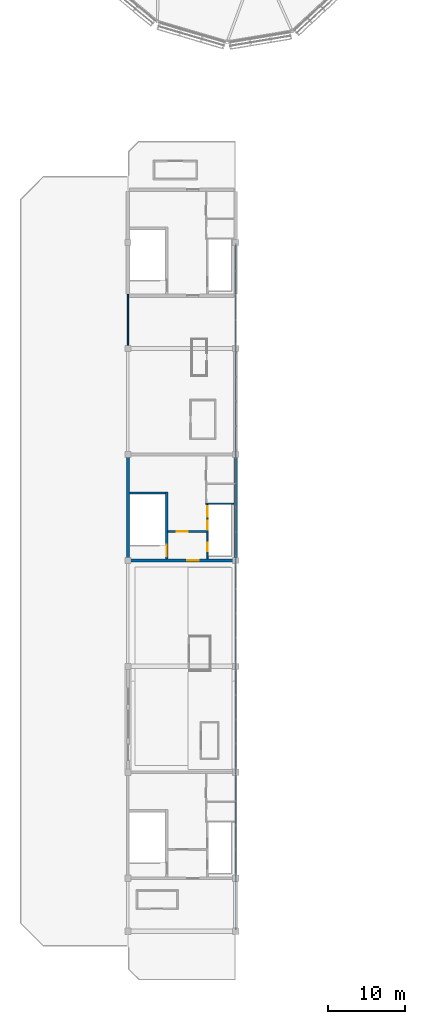
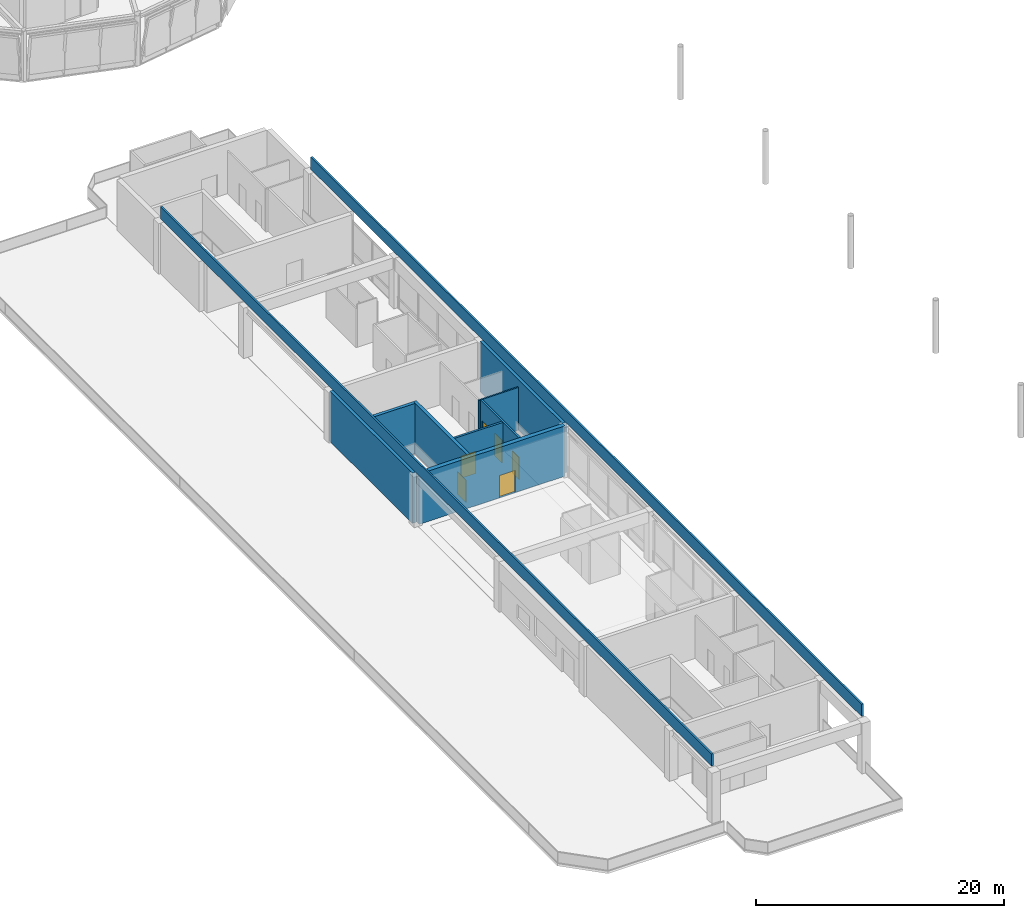
# One storey, part 100 of 113: 10 walls, 6 doors, 6 openings.
"""IFC4 building model written with IfcOpenShell, lengths in metres."""

from ifc_helpers import new_model, si_unit, direction, frame, frame_2d, origin, place, context, subcontext, project, spatial, rectangle, extrude, material, layer, layer_set, type_object, element, fill, save


model = new_model("IFC4")

# Units and contexts
model_context = context("Model", 3, precision=1e-05, world=origin(), true_north=direction((0.0, 1.0)))
body_context = subcontext(model_context, "Body", "Model", "MODEL_VIEW")
ifc_project = project(units=[si_unit("LENGTHUNIT", "METRE"), si_unit("AREAUNIT", "SQUARE_METRE"), si_unit("VOLUMEUNIT", "CUBIC_METRE"), si_unit("PLANEANGLEUNIT", "RADIAN"), si_unit("MASSUNIT", "GRAM", prefix="KILO")], contexts=[model_context])

# Site, building, storey
site_placement = place(None, origin())
site = spatial("IfcSite", under=ifc_project, at=site_placement, CompositionType="ELEMENT")
building_placement = place(site_placement, origin())
building = spatial("IfcBuilding", under=site, at=building_placement, Name="Linyun Crest Stadium", CompositionType="ELEMENT")
storey_placement = place(building_placement, frame((0.0, 0.0, 26.39990234375)))
storey = spatial("IfcBuildingStorey", under=building, at=storey_placement, Name="L06", CompositionType="ELEMENT", Elevation=26.39990234375)

# Walls
ifc_material_1 = material(Name="Concrete C50", Category="concrete")
ifc_layer_1 = layer(ifc_material_1, 0.39990234375)
ifc_layer_set_1 = layer_set([ifc_layer_1], Name="Concrete C50")
wall_type_1 = type_object("IfcWallType", Name="CW02", PredefinedType="SHEAR", material=ifc_layer_set_1)
for number, where, z_axis, x_axis, name in (
    (1, (-84.0, 2.324951171875, 0.0), (0.0, 0.0, 1.0), (0.0, 1.0, 0.0), "Core shear wall CW02 CORE-W2 L06.1"),
    (2, (-70.0, 2.324951171875, 0.0), (0.0, 0.0, 1.0), (0.0, 1.0, 0.0), "Core shear wall CW02 CORE-W2 L06.2"),
):
    element("IfcWall", number, at=place(storey_placement, frame(where, z_axis=z_axis, x_axis=x_axis)), inside=storey, type_object=wall_type_1, Name=name, PredefinedType="SHEAR", context=body_context, shape_type="SweptSolid", body=[
        extrude(rectangle(XDim=13.35009765625, YDim=0.39990234375, at=frame_2d((6.675048828125, 0.0))), origin(), (0.0, 0.0, 1.0), 4.965087890625),
    ])

# Wall, opening, door
wall_1_placement = place(storey_placement, frame((-83.800048828125, 2.125, 0.0), z_axis=(0.0, 0.0, 1.0), x_axis=(1.0, 0.0, 0.0)))
wall_1 = element("IfcWall", 3, at=wall_1_placement, inside=storey, type_object=wall_type_1, Name="Core shear wall CW02 CORE-W2 L06.3", PredefinedType="SHEAR", context=body_context, shape_type="SweptSolid", body=[
    extrude(rectangle(XDim=13.60009765625, YDim=0.39990234375, at=frame_2d((6.800048828125, 0.0))), origin(), (0.0, 0.0, 1.0), 4.965087890625),
])
opening_1_placement = place(wall_1_placement, frame((7.47998046875, 0.0, 0.0)))
opening_1 = element("IfcOpeningElement", 4, at=opening_1_placement, cuts=wall_1, Name="Opening D-L06-098", PredefinedType="OPENING", context=body_context, shape_type="SweptSolid", body=[
    extrude(rectangle(XDim=1.5, YDim=2.199951171875, at=frame_2d((0.75, 1.10009765625))), frame((0.0, 0.2099609375, 0.0), z_axis=(0.0, -1.0, 0.0), x_axis=(1.0, 0.0, 0.0)), (0.0, 0.0, 1.0), 0.419921875),
])
ifc_material_2 = material(Name="Galvanized steel Class A fire door", Category="steel")
ifc_layer_2 = layer(ifc_material_2, 0.054931640625)
ifc_layer_set_2 = layer_set([ifc_layer_2], Name="Galvanized steel Class A fire door")
door_type_1 = type_object("IfcDoorType", Name="FD01", OperationType="NOTDEFINED", PredefinedType="DOOR", material=ifc_layer_set_2)
door_1_placement = place(opening_1_placement, origin())
door_1 = element("IfcDoor", 5, at=door_1_placement, inside=storey, type_object=door_type_1, Name="Door D-L06-098", OperationType="SINGLE_SWING_RIGHT", OverallHeight=2.199951171875, OverallWidth=1.5, PredefinedType="DOOR", context=body_context, shape_type="SweptSolid", body=[
    extrude(rectangle(XDim=1.5, YDim=2.199951171875, at=frame_2d((0.75, 1.10009765625))), frame((0.0, 0.02490234375, 0.0), z_axis=(0.0, -1.0, 0.0), x_axis=(1.0, 0.0, 0.0)), (0.0, 0.0, 1.0), 0.050048828125),
])
fill(opening_1, door_1)

# Walls
ifc_material_3 = material(Name="Precast concrete C40 coping parapet", Category="concrete")
ifc_layer_3 = layer(ifc_material_3, 0.169921875)
ifc_layer_set_3 = layer_set([ifc_layer_3], Name="Precast concrete C40 coping parapet")
wall_type_2 = type_object("IfcWallType", Name="PW01", PredefinedType="PARAPET", material=ifc_layer_set_3)
for number, where, z_axis, x_axis, name in (
    (6, (-84.0, -45.800048828125, 5.2001953125), (0.0, 0.0, 1.0), (0.0, 1.0, 0.0), "Parapet PW01 L06 72"),
    (7, (-70.0, -45.800048828125, 5.2001953125), (0.0, 0.0, 1.0), (0.0, 1.0, 0.0), "Parapet PW01 L06 73"),
):
    element("IfcWall", number, at=place(storey_placement, frame(where, z_axis=z_axis, x_axis=x_axis)), inside=storey, type_object=wall_type_2, Name=name, PredefinedType="PARAPET", context=body_context, shape_type="SweptSolid", body=[
        extrude(rectangle(XDim=89.0, YDim=0.169921875, at=frame_2d((44.5, 0.0))), origin(), (0.0, 0.0, 1.0), 1.199951171875),
    ])

# Wall, opening, door
ifc_material_4 = material(Name="Autoclaved aerated concrete block with fireboard", Category="concrete")
ifc_layer_4 = layer(ifc_material_4, 0.199951171875)
ifc_layer_set_4 = layer_set([ifc_layer_4], Name="Autoclaved aerated concrete block with fireboard")
wall_type_3 = type_object("IfcWallType", Name="PW11", PredefinedType="PARTITIONING", material=ifc_layer_set_4)
wall_2_placement = place(storey_placement, frame((-78.800048828125, 5.875, 0.0), z_axis=(0.0, 0.0, 1.0), x_axis=(1.0, 0.0, 0.0)))
wall_2 = element("IfcWall", 8, at=wall_2_placement, inside=storey, type_object=wall_type_3, Name="Partition PW11 L06 40", PredefinedType="PARTITIONING", context=body_context, shape_type="SweptSolid", body=[
    extrude(rectangle(XDim=5.06005859375, YDim=0.199951171875, at=frame_2d((2.530029296875, 0.0))), origin(), (0.0, 0.0, 1.0), 4.22021484375),
])
opening_2_placement = place(wall_2_placement, frame((1.169921875, 0.0, 0.0)))
opening_2 = element("IfcOpeningElement", 9, at=opening_2_placement, cuts=wall_2, Name="Opening D-L06-100", PredefinedType="OPENING", context=body_context, shape_type="SweptSolid", body=[
    extrude(rectangle(XDim=1.39990234375, YDim=2.199951171875, at=frame_2d((0.699951171875, 1.10009765625))), frame((0.0, 0.10986328125, 0.0), z_axis=(0.0, -1.0, 0.0), x_axis=(1.0, 0.0, 0.0)), (0.0, 0.0, 1.0), 0.219970703125),
])
ifc_material_5 = material(Name="Galvanized steel Class B fire door", Category="steel")
ifc_layer_5 = layer(ifc_material_5, 0.054931640625)
ifc_layer_set_5 = layer_set([ifc_layer_5], Name="Galvanized steel Class B fire door")
door_type_2 = type_object("IfcDoorType", Name="FD03", OperationType="NOTDEFINED", PredefinedType="DOOR", material=ifc_layer_set_5)
door_2_placement = place(opening_2_placement, origin())
door_2 = element("IfcDoor", 10, at=door_2_placement, inside=storey, type_object=door_type_2, Name="Door D-L06-100", OperationType="SINGLE_SWING_RIGHT", OverallHeight=2.199951171875, OverallWidth=1.39990234375, PredefinedType="DOOR", context=body_context, shape_type="SweptSolid", body=[
    extrude(rectangle(XDim=1.39990234375, YDim=2.199951171875, at=frame_2d((0.699951171875, 1.10009765625))), frame((0.0, 0.02490234375, 0.0), z_axis=(0.0, -1.0, 0.0), x_axis=(1.0, 0.0, 0.0)), (0.0, 0.0, 1.0), 0.050048828125),
])
fill(opening_2, door_2)

# Wall, openings, doors
ifc_material_6 = material(Name="Autoclaved aerated concrete block fire partition", Category="concrete")
ifc_layer_6 = layer(ifc_material_6, 0.179931640625)
ifc_layer_set_6 = layer_set([ifc_layer_6], Name="Autoclaved aerated concrete block fire partition")
wall_type_4 = type_object("IfcWallType", Name="PW12", PredefinedType="PARTITIONING", material=ifc_layer_set_6)
wall_3_placement = place(storey_placement, frame((-73.64990234375, 2.324951171875, 0.0), z_axis=(0.0, 0.0, 1.0), x_axis=(0.0, 1.0, 0.0)))
wall_3 = element("IfcWall", 11, at=wall_3_placement, inside=storey, type_object=wall_type_4, Name="Partition PW12 L06 41", PredefinedType="PARTITIONING", context=body_context, shape_type="SweptSolid", body=[
    extrude(rectangle(XDim=7.080078125, YDim=0.179931640625, at=frame_2d((3.5400390625, 0.0))), origin(), (0.0, 0.0, 1.0), 4.22021484375),
])
opening_3_placement = place(wall_3_placement, frame((1.0, 0.0, 0.0)))
opening_3 = element("IfcOpeningElement", 12, at=opening_3_placement, cuts=wall_3, Name="Opening LD033", PredefinedType="OPENING", context=body_context, shape_type="SweptSolid", body=[
    extrude(rectangle(XDim=1.10009765625, YDim=2.199951171875, at=frame_2d((0.550048828125, 1.10009765625))), frame((0.0, 0.099853515625, 0.0), z_axis=(0.0, -1.0, 0.0), x_axis=(1.0, 0.0, 0.0)), (0.0, 0.0, 1.0), 0.199951171875),
])
opening_4_placement = place(wall_3_placement, frame((3.75, 0.0, 0.0)))
opening_4 = element("IfcOpeningElement", 13, at=opening_4_placement, cuts=wall_3, Name="Opening LD034", PredefinedType="OPENING", context=body_context, shape_type="SweptSolid", body=[
    extrude(rectangle(XDim=1.199951171875, YDim=2.25, at=frame_2d((0.60009765625, 1.125))), frame((0.0, 0.099853515625, 0.0), z_axis=(0.0, -1.0, 0.0), x_axis=(1.0, 0.0, 0.0)), (0.0, 0.0, 1.0), 0.199951171875),
])
opening_5_placement = place(wall_3_placement, frame((5.449951171875, 0.0, 0.0)))
opening_5 = element("IfcOpeningElement", 14, at=opening_5_placement, cuts=wall_3, Name="Opening LD035", PredefinedType="OPENING", context=body_context, shape_type="SweptSolid", body=[
    extrude(rectangle(XDim=1.39990234375, YDim=2.300048828125, at=frame_2d((0.699951171875, 1.14990234375))), frame((0.0, 0.099853515625, 0.0), z_axis=(0.0, -1.0, 0.0), x_axis=(1.0, 0.0, 0.0)), (0.0, 0.0, 1.0), 0.199951171875),
])
ifc_material_7 = material(Name="Brushed stainless sliding lift door")
ifc_layer_7 = layer(ifc_material_7, 0.050048828125)
ifc_layer_set_7 = layer_set([ifc_layer_7], Name="Brushed stainless sliding lift door")
door_type_3 = type_object("IfcDoorType", Name="LD01", OperationType="NOTDEFINED", PredefinedType="DOOR", material=ifc_layer_set_7)
door_3_placement = place(opening_3_placement, origin())
door_3 = element("IfcDoor", 15, at=door_3_placement, inside=storey, type_object=door_type_3, Name="Lift landing door LD033", OperationType="DOUBLE_DOOR_SLIDING", OverallHeight=2.199951171875, OverallWidth=1.10009765625, PredefinedType="DOOR", context=body_context, shape_type="SweptSolid", body=[
    extrude(rectangle(XDim=1.10009765625, YDim=2.199951171875, at=frame_2d((0.550048828125, 1.10009765625))), frame((0.0, 0.02490234375, 0.0), z_axis=(0.0, -1.0, 0.0), x_axis=(1.0, 0.0, 0.0)), (0.0, 0.0, 1.0), 0.050048828125),
])
fill(opening_3, door_3)
ifc_material_8 = material(Name="Brushed stainless sliding lift door")
ifc_layer_8 = layer(ifc_material_8, 0.050048828125)
ifc_layer_set_8 = layer_set([ifc_layer_8], Name="Brushed stainless sliding lift door")
door_type_4 = type_object("IfcDoorType", Name="LD02", OperationType="NOTDEFINED", PredefinedType="DOOR", material=ifc_layer_set_8)
door_4_placement = place(opening_4_placement, origin())
door_4 = element("IfcDoor", 16, at=door_4_placement, inside=storey, type_object=door_type_4, Name="Lift landing door LD034", OperationType="DOUBLE_DOOR_SLIDING", OverallHeight=2.25, OverallWidth=1.199951171875, PredefinedType="DOOR", context=body_context, shape_type="SweptSolid", body=[
    extrude(rectangle(XDim=1.199951171875, YDim=2.25, at=frame_2d((0.60009765625, 1.125))), frame((0.0, 0.02490234375, 0.0), z_axis=(0.0, -1.0, 0.0), x_axis=(1.0, 0.0, 0.0)), (0.0, 0.0, 1.0), 0.050048828125),
])
fill(opening_4, door_4)
ifc_material_9 = material(Name="Heavy-duty stainless sliding door")
ifc_layer_9 = layer(ifc_material_9, 0.054931640625)
ifc_layer_set_9 = layer_set([ifc_layer_9], Name="Heavy-duty stainless sliding door")
door_type_5 = type_object("IfcDoorType", Name="LD03", OperationType="NOTDEFINED", PredefinedType="DOOR", material=ifc_layer_set_9)
door_5_placement = place(opening_5_placement, origin())
door_5 = element("IfcDoor", 17, at=door_5_placement, inside=storey, type_object=door_type_5, Name="Lift landing door LD035", OperationType="DOUBLE_DOOR_SLIDING", OverallHeight=2.300048828125, OverallWidth=1.39990234375, PredefinedType="DOOR", context=body_context, shape_type="SweptSolid", body=[
    extrude(rectangle(XDim=1.39990234375, YDim=2.300048828125, at=frame_2d((0.699951171875, 1.14990234375))), frame((0.0, 0.02490234375, 0.0), z_axis=(0.0, -1.0, 0.0), x_axis=(1.0, 0.0, 0.0)), (0.0, 0.0, 1.0), 0.050048828125),
])
fill(opening_5, door_5)

# Wall
ifc_material_10 = material(Name="Moisture-resistant ceramic-tiled wet-room wall")
ifc_layer_10 = layer(ifc_material_10, 0.139892578125)
ifc_layer_set_10 = layer_set([ifc_layer_10], Name="Moisture-resistant ceramic-tiled wet-room wall")
wall_type_5 = type_object("IfcWallType", Name="PW15", PredefinedType="PARTITIONING", material=ifc_layer_set_10)
wall_4_placement = place(storey_placement, frame((-73.919921875, 9.47509765625, 0.0), z_axis=(0.0, 0.0, 1.0), x_axis=(1.0, 0.0, 0.0)))
element("IfcWall", 18, at=wall_4_placement, inside=storey, type_object=wall_type_5, Name="Enclosure partition PW15 L06 27", PredefinedType="PARTITIONING", context=body_context, shape_type="SweptSolid", body=[
    extrude(rectangle(XDim=3.719970703125, YDim=0.139892578125, at=frame_2d((1.85986328125, 0.0))), origin(), (0.0, 0.0, 1.0), 4.22021484375),
])

# Wall, opening, door
ifc_material_11 = material(Name="Concrete C50", Category="concrete")
ifc_layer_11 = layer(ifc_material_11, 0.300048828125)
ifc_layer_set_11 = layer_set([ifc_layer_11], Name="Concrete C50")
wall_type_6 = type_object("IfcWallType", Name="SW01", PredefinedType="SHEAR", material=ifc_layer_set_11)
wall_5_placement = place(storey_placement, frame((-78.949951171875, 2.324951171875, 0.0), z_axis=(0.0, 0.0, 1.0), x_axis=(0.0, 1.0, 0.0)))
wall_5 = element("IfcWall", 19, at=wall_5_placement, inside=storey, type_object=wall_type_6, Name="Core stair east bearing wall SW01 2 L06", PredefinedType="SHEAR", context=body_context, shape_type="SweptSolid", body=[
    extrude(rectangle(XDim=8.699951171875, YDim=0.300048828125, at=frame_2d((4.35009765625, 0.0))), origin(), (0.0, 0.0, 1.0), 4.965087890625),
])
opening_6_placement = place(wall_5_placement, frame((0.3701171875, 0.0, 0.0)))
opening_6 = element("IfcOpeningElement", 20, at=opening_6_placement, cuts=wall_5, Name="Opening D-L06-099", PredefinedType="OPENING", context=body_context, shape_type="SweptSolid", body=[
    extrude(rectangle(XDim=1.449951171875, YDim=2.199951171875, at=frame_2d((0.72509765625, 1.10009765625))), frame((0.0, 0.159912109375, 0.0), z_axis=(0.0, -1.0, 0.0), x_axis=(1.0, 0.0, 0.0)), (0.0, 0.0, 1.0), 0.320068359375),
])
ifc_material_12 = material(Name="Galvanized steel Class A fire door", Category="steel")
ifc_layer_12 = layer(ifc_material_12, 0.054931640625)
ifc_layer_set_12 = layer_set([ifc_layer_12], Name="Galvanized steel Class A fire door")
door_type_6 = type_object("IfcDoorType", Name="FD02", OperationType="NOTDEFINED", PredefinedType="DOOR", material=ifc_layer_set_12)
door_6_placement = place(opening_6_placement, origin())
door_6 = element("IfcDoor", 21, at=door_6_placement, inside=storey, type_object=door_type_6, Name="Door D-L06-099", OperationType="SINGLE_SWING_LEFT", OverallHeight=2.199951171875, OverallWidth=1.449951171875, PredefinedType="DOOR", context=body_context, shape_type="SweptSolid", body=[
    extrude(rectangle(XDim=1.449951171875, YDim=2.199951171875, at=frame_2d((0.72509765625, 1.10009765625))), frame((0.0, 0.02490234375, 0.0), z_axis=(0.0, -1.0, 0.0), x_axis=(1.0, 0.0, 0.0)), (0.0, 0.0, 1.0), 0.050048828125),
])
fill(opening_6, door_6)

# Wall
wall_6_placement = place(storey_placement, frame((-83.800048828125, 10.875, 0.0), z_axis=(0.0, 0.0, 1.0), x_axis=(1.0, 0.0, 0.0)))
element("IfcWall", 22, at=wall_6_placement, inside=storey, type_object=wall_type_6, Name="Core stair bearing wall SW01 2 L06", PredefinedType="SHEAR", context=body_context, shape_type="SweptSolid", body=[
    extrude(rectangle(XDim=4.699951171875, YDim=0.300048828125, at=frame_2d((2.35009765625, 0.0))), origin(), (0.0, 0.0, 1.0), 4.965087890625),
])

save(model, "model.ifc")
